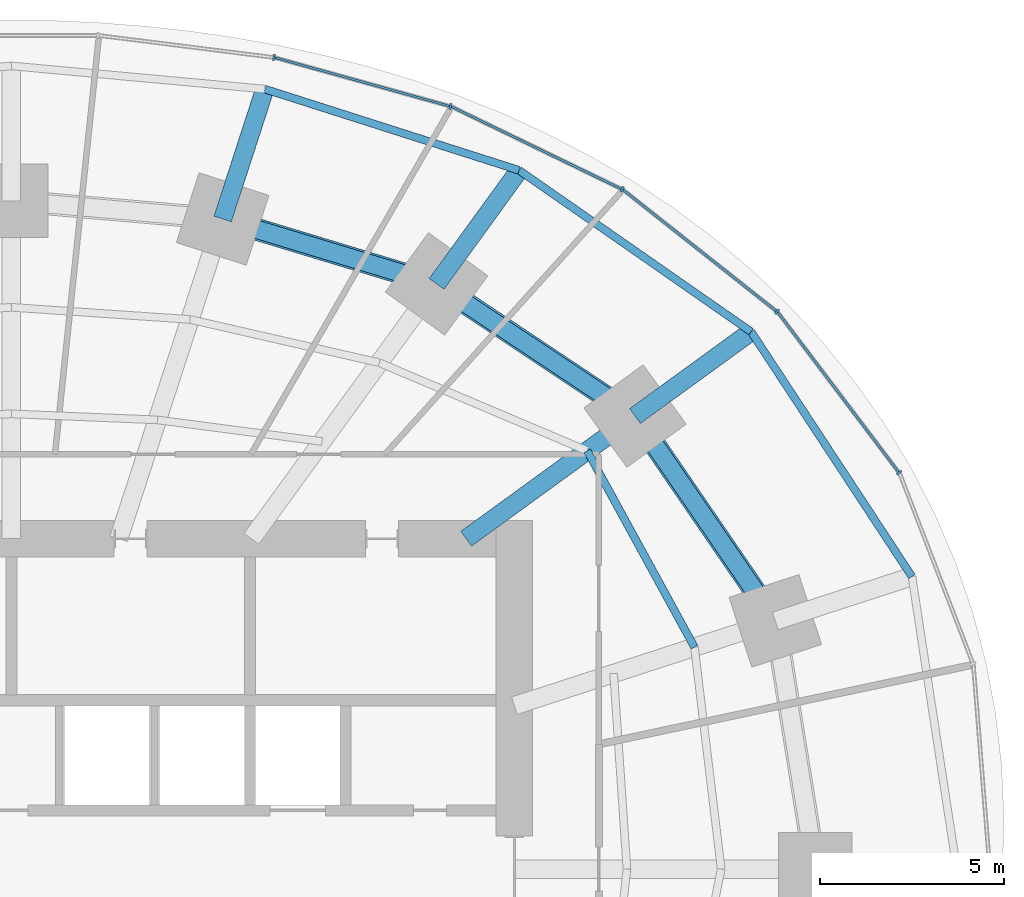
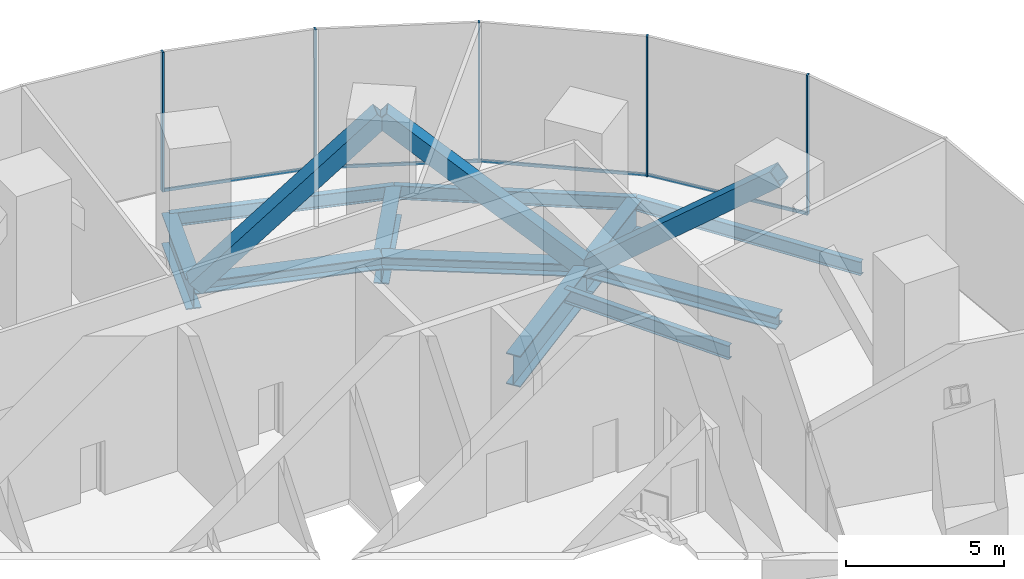
# One storey, part 9 of 13: 15 members, 8 beams, 2 elements without a shape of their own.
"""IFC4 building model written with IfcOpenShell, lengths in metres."""

from ifc_helpers import new_model, si_unit, direction, frame, origin, origin_2d, place, context, subcontext, project, spatial, rectangle, hollow_rectangle, i_section, extrude, material, material_profile, profile_set, type_object, element, aggregate, save


model = new_model("IFC4")

# Units and contexts
model_context = context("Model", 3, precision=1e-05, world=origin(), true_north=direction((0.0, 1.0)))
body_context = subcontext(model_context, "Body", "Model", "MODEL_VIEW")
ifc_project = project(units=[si_unit("LENGTHUNIT", "METRE"), si_unit("AREAUNIT", "SQUARE_METRE"), si_unit("VOLUMEUNIT", "CUBIC_METRE"), si_unit("PLANEANGLEUNIT", "RADIAN"), si_unit("MASSUNIT", "GRAM", prefix="KILO")], contexts=[model_context])

# Site, building, storey
site_placement = place(None, origin())
site = spatial("IfcSite", under=ifc_project, at=site_placement, CompositionType="ELEMENT")
building_placement = place(site_placement, origin())
building = spatial("IfcBuilding", under=site, at=building_placement, Name="Marramba Exchange Tower", CompositionType="ELEMENT")
storey_placement = place(building_placement, frame((0.0, 0.0, 86.800048828125)))
storey = spatial("IfcBuildingStorey", under=building, at=storey_placement, Name="L20", CompositionType="ELEMENT", Elevation=86.800048828125)

# Members
ifc_material_1 = material(Name="Steel AS/NZS 3679.2 grade 300", Category="steel")
ifc_material_profile_1 = material_profile(ifc_material_1, i_section(OverallWidth=0.5, OverallDepth=0.47998046875, WebThickness=0.0400390625, FlangeThickness=0.0400390625, at=origin_2d()), Name="500WC440")
ifc_profile_set_1 = profile_set([ifc_material_profile_1], Name="Steel AS/NZS 3679.2 grade 300")
member_type_1 = type_object("IfcMemberType", Name="Belt truss chord 500WC440", PredefinedType="CHORD", material=ifc_profile_set_1)
member_1_placement = place(storey_placement, frame((20.808349609375, 6.760986328125, -0.43994140625), z_axis=(-0.56516002054, 0.824981303535, 0.0), x_axis=(-0.824981303535, -0.56516002054, 0.0)))
element("IfcMember", 1, at=member_1_placement, inside=storey, type_object=member_type_1, Name="Belt chord L20 TC02-TC03", PredefinedType="CHORD", context=body_context, shape_type="SweptSolid", body=[
    extrude(i_section(OverallWidth=0.5, OverallDepth=0.47998046875, WebThickness=0.0400390625, FlangeThickness=0.0400390625, at=origin_2d()), origin(), (0.0, 0.0, 1.0), 6.763671875),
])
member_2_placement = place(storey_placement, frame((16.98583984375, 12.3408203125, -0.43994140625), z_axis=(-0.832293151443, 0.554335737673, 0.0), x_axis=(-0.554335737673, -0.832293151443, 0.0)))
element("IfcMember", 2, at=member_2_placement, inside=storey, type_object=member_type_1, Name="Belt chord L20 TC03-TC04", PredefinedType="CHORD", context=body_context, shape_type="SweptSolid", body=[
    extrude(i_section(OverallWidth=0.5, OverallDepth=0.47998046875, WebThickness=0.0400390625, FlangeThickness=0.0400390625, at=origin_2d()), origin(), (0.0, 0.0, 1.0), 6.49365234375),
])
member_3_placement = place(storey_placement, frame((11.581298828125, 15.9404296875, -0.43994140625), z_axis=(-0.956924542524, 0.290336735387, 0.0), x_axis=(-0.290336735387, -0.956924542524, 0.0)))
element("IfcMember", 3, at=member_3_placement, inside=storey, type_object=member_type_1, Name="Belt chord L20 TC04-TC05", PredefinedType="CHORD", context=body_context, shape_type="SweptSolid", body=[
    extrude(i_section(OverallWidth=0.5, OverallDepth=0.47998046875, WebThickness=0.0400390625, FlangeThickness=0.0400390625, at=origin_2d()), origin(), (0.0, 0.0, 1.0), 6.089599609375),
])
ifc_material_2 = material(Name="Steel AS/NZS 3678 grade 350", Category="steel")
ifc_material_profile_2 = material_profile(ifc_material_2, hollow_rectangle(XDim=0.60009765625, YDim=0.60009765625, WallThickness=0.0400390625, at=origin_2d()), Name="600x600x40BOX")
ifc_profile_set_2 = profile_set([ifc_material_profile_2], Name="Steel AS/NZS 3678 grade 350")
member_type_2 = type_object("IfcMemberType", Name="Belt truss diagonal 600x600x40BOX", PredefinedType="BRACE", material=ifc_profile_set_2)
member_4_placement = place(storey_placement, frame((20.808349609375, 6.760986328125, 5.159912109375), z_axis=(-0.435320155783, 0.635450096469, -0.63772998743), x_axis=(-0.824981303535, -0.56516002054, 0.0)))
element("IfcMember", 4, at=member_4_placement, inside=storey, type_object=member_type_2, Name="Belt truss BT20 diagonal 02", PredefinedType="BRACE", context=body_context, shape_type="SweptSolid", body=[
    extrude(hollow_rectangle(XDim=0.60009765625, YDim=0.60009765625, WallThickness=0.0400390625, at=origin_2d()), origin(), (0.0, 0.0, 1.0), 8.781005859375),
])
member_5_placement = place(storey_placement, frame((16.98583984375, 12.3408203125, -0.43994140625), z_axis=(-0.630292951441, 0.419796687719, 0.653070850937), x_axis=(-0.554335737673, -0.832293151443, 0.0)))
element("IfcMember", 5, at=member_5_placement, inside=storey, type_object=member_type_2, Name="Belt truss BT20 diagonal 03", PredefinedType="BRACE", context=body_context, shape_type="SweptSolid", body=[
    extrude(hollow_rectangle(XDim=0.60009765625, YDim=0.60009765625, WallThickness=0.0400390625, at=origin_2d()), origin(), (0.0, 0.0, 1.0), 8.57470703125),
])
member_6_placement = place(storey_placement, frame((11.581298828125, 15.9404296875, 5.159912109375), z_axis=(-0.704384845581, 0.213714652968, -0.676881109518), x_axis=(-0.290336735387, -0.956924542524, 0.0)))
element("IfcMember", 6, at=member_6_placement, inside=storey, type_object=member_type_2, Name="Belt truss BT20 diagonal 04", PredefinedType="BRACE", context=body_context, shape_type="SweptSolid", body=[
    extrude(hollow_rectangle(XDim=0.60009765625, YDim=0.60009765625, WallThickness=0.0400390625, at=origin_2d()), origin(), (0.0, 0.0, 1.0), 8.27294921875),
])

# Beams
ifc_material_profile_3 = material_profile(ifc_material_1, i_section(OverallWidth=0.5, OverallDepth=1.199951171875, WebThickness=0.01611328125, FlangeThickness=0.0400390625, at=origin_2d()), Name="1200WB455")
ifc_profile_set_3 = profile_set([ifc_material_profile_3], Name="Steel AS/NZS 3679.2 grade 300")
beam_type_1 = type_object("IfcBeamType", Name="Cantilever girder 1200WB455", PredefinedType="BEAM", material=ifc_profile_set_3)
beam_1_placement = place(storey_placement, frame((16.98583984375, 12.3408203125, -0.800048828125), z_axis=(0.808987260856, 0.587826174793, 0.0), x_axis=(-0.587826174793, 0.808987260856, 0.0)))
element("IfcBeam", 7, at=beam_1_placement, inside=storey, type_object=beam_type_1, Name="Cantilever girder L20 TC03", PredefinedType="BEAM", context=body_context, shape_type="SweptSolid", body=[
    extrude(i_section(OverallWidth=0.5, OverallDepth=1.199951171875, WebThickness=0.01611328125, FlangeThickness=0.0400390625, at=origin_2d()), origin(), (0.0, 0.0, 1.0), 3.90771484375),
])
beam_2_placement = place(storey_placement, frame((11.581298828125, 15.9404296875, -0.800048828125), z_axis=(0.587795827483, 0.809009310944, 0.0), x_axis=(-0.809009310944, 0.587795827483, 0.0)))
element("IfcBeam", 8, at=beam_2_placement, inside=storey, type_object=beam_type_1, Name="Cantilever girder L20 TC04", PredefinedType="BEAM", context=body_context, shape_type="SweptSolid", body=[
    extrude(i_section(OverallWidth=0.5, OverallDepth=1.199951171875, WebThickness=0.01611328125, FlangeThickness=0.0400390625, at=origin_2d()), origin(), (0.0, 0.0, 1.0), 3.82421875),
])
beam_3_placement = place(storey_placement, frame((5.75390625, 17.70849609375, -0.800048828125), z_axis=(0.308973290646, 0.951070715387, 0.0), x_axis=(-0.951070715387, 0.308973290646, 0.0)))
element("IfcBeam", 9, at=beam_3_placement, inside=storey, type_object=beam_type_1, Name="Cantilever girder L20 TC05", PredefinedType="BEAM", context=body_context, shape_type="SweptSolid", body=[
    extrude(i_section(OverallWidth=0.5, OverallDepth=1.199951171875, WebThickness=0.01611328125, FlangeThickness=0.0400390625, at=origin_2d()), origin(), (0.0, 0.0, 1.0), 3.72021484375),
])
ifc_material_3 = material(Name="Steel AS/NZS 3679.1 grade 300", Category="steel")
ifc_material_profile_4 = material_profile(ifc_material_3, i_section(OverallWidth=0.208984375, OverallDepth=0.532958984375, WebThickness=0.01025390625, FlangeThickness=0.015625, FilletRadius=0.013916015625, at=origin_2d()), Name="530UB92.4")
ifc_profile_set_4 = profile_set([ifc_material_profile_4], Name="Steel AS/NZS 3679.1 grade 300")
beam_type_2 = type_object("IfcBeamType", Name="Floor joist 530UB92.4", PredefinedType="JOIST", material=ifc_profile_set_4)
beam_4_placement = place(storey_placement, frame((18.60546875, 6.04541015625, -0.466552734375), z_axis=(-0.479584443791, 0.877495732909, 0.0), x_axis=(-0.877495732909, -0.479584443791, 0.0)))
element("IfcBeam", 10, at=beam_4_placement, inside=storey, type_object=beam_type_2, Name="Joist L20 bay 02 row 2", PredefinedType="JOIST", context=body_context, shape_type="SweptSolid", body=[
    extrude(i_section(OverallWidth=0.208984375, OverallDepth=0.532958984375, WebThickness=0.01025390625, FlangeThickness=0.015625, FilletRadius=0.013916015625, at=origin_2d()), origin(), (0.0, 0.0, 1.0), 6.094970703125),
])

# Curtain wall, members
ifc_material_4 = material(Name="Aluminium framing, bronze anodised", Category="aluminium")
curtain_wall_type = type_object("IfcCurtainWallType", Name="Plant floor louvred curtain wall", PredefinedType="USERDEFINED", material=ifc_material_4)
curtain_wall_1_placement = place(storey_placement, origin())
curtain_wall_1 = element("IfcCurtainWall", 11, at=curtain_wall_1_placement, inside=storey, type_object=curtain_wall_type, Name="Curtain wall CW6 L20 F01-F05", ObjectType="RIBBON CURTAIN WALL", PredefinedType="USERDEFINED")
ifc_material_5 = material(Name="Aluminium mullion, bronze anodised", Category="aluminium")
ifc_material_profile_5 = material_profile(ifc_material_5, rectangle(XDim=0.159912109375, YDim=0.06005859375, at=origin_2d()), Name="CW6 mullion 60x160")
ifc_profile_set_5 = profile_set([ifc_material_profile_5], Name="Aluminium mullion, bronze anodised")
member_type_3 = type_object("IfcMemberType", Name="Plant floor louvred curtain wall mullion", PredefinedType="MULLION", material=ifc_profile_set_5)
member_7_placement = place(storey_placement, frame((24.178466796875, 10.796875, 0.0), z_axis=(0.0, 0.0, 1.0), x_axis=(-0.797748922445, -0.602989765036, 0.0)))
member_7 = element("IfcMember", 12, at=member_7_placement, type_object=member_type_3, Name="CW6 mullion 1", PredefinedType="MULLION", context=body_context, shape_type="SweptSolid", body=[
    extrude(rectangle(XDim=0.159912109375, YDim=0.06005859375, at=origin_2d()), origin(), (0.0, 0.0, 1.0), 5.39990234375),
])
member_8_placement = place(storey_placement, frame((20.851806640625, 15.185546875, 0.0), z_axis=(0.0, 0.0, 1.0), x_axis=(-0.620649730166, -0.784087949432, 0.0)))
member_8 = element("IfcMember", 13, at=member_8_placement, type_object=member_type_3, Name="CW6 mullion 1", PredefinedType="MULLION", context=body_context, shape_type="SweptSolid", body=[
    extrude(rectangle(XDim=0.159912109375, YDim=0.06005859375, at=origin_2d()), origin(), (0.0, 0.0, 1.0), 5.39990234375),
])
member_9_placement = place(storey_placement, frame((16.63330078125, 18.516357421875, 0.0), z_axis=(0.0, 0.0, 1.0), x_axis=(-0.43596538664, -0.899963433508, 0.0)))
member_9 = element("IfcMember", 14, at=member_9_placement, type_object=member_type_3, Name="CW6 mullion 1", PredefinedType="MULLION", context=body_context, shape_type="SweptSolid", body=[
    extrude(rectangle(XDim=0.159912109375, YDim=0.06005859375, at=origin_2d()), origin(), (0.0, 0.0, 1.0), 5.39990234375),
])

curtain_wall_2_placement = place(storey_placement, origin())
curtain_wall_2 = element("IfcCurtainWall", 15, at=curtain_wall_2_placement, inside=storey, type_object=curtain_wall_type, Name="Curtain wall CW6 L20 F06-F10", ObjectType="RIBBON CURTAIN WALL", PredefinedType="USERDEFINED")
member_10_placement = place(storey_placement, frame((11.96044921875, 20.774169921875, 0.0), z_axis=(0.0, 0.0, 1.0), x_axis=(-0.267808735815, -0.963472096649, 0.0)))
member_10 = element("IfcMember", 16, at=member_10_placement, type_object=member_type_3, Name="CW6 mullion 1", PredefinedType="MULLION", context=body_context, shape_type="SweptSolid", body=[
    extrude(rectangle(XDim=0.159912109375, YDim=0.06005859375, at=origin_2d()), origin(), (0.0, 0.0, 1.0), 5.39990234375),
])
member_11_placement = place(storey_placement, frame((7.15185546875, 22.106201171875, 0.0), z_axis=(0.0, 0.0, 1.0), x_axis=(-0.124872723099, -0.992172768738, 0.0)))
member_11 = element("IfcMember", 17, at=member_11_placement, type_object=member_type_3, Name="CW6 mullion 1", PredefinedType="MULLION", context=body_context, shape_type="SweptSolid", body=[
    extrude(rectangle(XDim=0.159912109375, YDim=0.06005859375, at=origin_2d()), origin(), (0.0, 0.0, 1.0), 5.39990234375),
])

# Member
ifc_material_6 = material(Name="Aluminium transom, bronze anodised", Category="aluminium")
ifc_material_profile_6 = material_profile(ifc_material_6, rectangle(XDim=0.06005859375, YDim=0.1201171875, at=origin_2d()), Name="CW6 transom 60x120")
ifc_profile_set_6 = profile_set([ifc_material_profile_6], Name="Aluminium transom, bronze anodised")
member_type_4 = type_object("IfcMemberType", Name="Plant floor louvred curtain wall transom", PredefinedType="USERDEFINED", material=ifc_profile_set_6)
member_12_placement = place(storey_placement, frame((24.160400390625, 10.82080078125, 0.030029296875), z_axis=(-0.602985866158, 0.797751869452, 0.0), x_axis=(-0.797751869452, -0.602985866158, 0.0)))
member_12 = element("IfcMember", 18, at=member_12_placement, type_object=member_type_4, Name="CW6 sill transom", ObjectType="TRANSOM", PredefinedType="USERDEFINED", context=body_context, shape_type="SweptSolid", body=[
    extrude(rectangle(XDim=0.06005859375, YDim=0.1201171875, at=origin_2d()), origin(), (0.0, 0.0, 1.0), 5.44775390625),
])

member_13_placement = place(storey_placement, frame((20.828369140625, 15.2041015625, 0.030029296875), z_axis=(-0.784097975735, 0.620637063385, 0.0), x_axis=(-0.620637063385, -0.784097975735, 0.0)))
member_13 = element("IfcMember", 19, at=member_13_placement, type_object=member_type_4, Name="CW6 sill transom", ObjectType="TRANSOM", PredefinedType="USERDEFINED", context=body_context, shape_type="SweptSolid", body=[
    extrude(rectangle(XDim=0.06005859375, YDim=0.1201171875, at=origin_2d()), origin(), (0.0, 0.0, 1.0), 5.315673828125),
])

member_14_placement = place(storey_placement, frame((16.6064453125, 18.529296875, 0.030029296875), z_axis=(-0.89995331781, 0.43598626786, 0.0), x_axis=(-0.43598626786, -0.89995331781, 0.0)))
member_14 = element("IfcMember", 20, at=member_14_placement, type_object=member_type_4, Name="CW6 sill transom", ObjectType="TRANSOM", PredefinedType="USERDEFINED", context=body_context, shape_type="SweptSolid", body=[
    extrude(rectangle(XDim=0.06005859375, YDim=0.1201171875, at=origin_2d()), origin(), (0.0, 0.0, 1.0), 5.13037109375),
])

aggregate(curtain_wall_1, [member_7, member_12, member_8, member_13, member_9, member_14])

member_15_placement = place(storey_placement, frame((11.931396484375, 20.7822265625, 0.030029296875), z_axis=(-0.963468938163, 0.267820098565, 0.0), x_axis=(-0.267820098565, -0.963468938163, 0.0)))
member_15 = element("IfcMember", 21, at=member_15_placement, type_object=member_type_4, Name="CW6 sill transom", ObjectType="TRANSOM", PredefinedType="USERDEFINED", context=body_context, shape_type="SweptSolid", body=[
    extrude(rectangle(XDim=0.06005859375, YDim=0.1201171875, at=origin_2d()), origin(), (0.0, 0.0, 1.0), 4.929931640625),
])

aggregate(curtain_wall_2, [member_10, member_15, member_11])

# Beams
ifc_material_profile_7 = material_profile(ifc_material_1, i_section(OverallWidth=0.5, OverallDepth=1.199951171875, WebThickness=0.01611328125, FlangeThickness=0.0400390625, at=origin_2d()), Name="1200WB455")
ifc_profile_set_7 = profile_set([ifc_material_profile_7], Name="Steel AS/NZS 3679.2 grade 300")
beam_type_3 = type_object("IfcBeamType", Name="Radial girder 1200WB455", PredefinedType="BEAM", material=ifc_profile_set_7)
beam_5_placement = place(storey_placement, frame((12.387451171875, 9.0, -0.800048828125), z_axis=(0.809025746925, 0.587773205252, 0.0), x_axis=(-0.587773205252, 0.809025746925, 0.0)))
element("IfcBeam", 22, at=beam_5_placement, inside=storey, type_object=beam_type_3, Name="Radial girder L20 TC03", PredefinedType="BEAM", context=body_context, shape_type="SweptSolid", body=[
    extrude(i_section(OverallWidth=0.5, OverallDepth=1.199951171875, WebThickness=0.01611328125, FlangeThickness=0.0400390625, at=origin_2d()), origin(), (0.0, 0.0, 1.0), 5.683837890625),
])
ifc_material_profile_8 = material_profile(ifc_material_3, i_section(OverallWidth=0.208984375, OverallDepth=0.528076171875, WebThickness=0.009521484375, FlangeThickness=0.01318359375, FilletRadius=0.013916015625, at=origin_2d()), Name="530UB82.0")
ifc_profile_set_8 = profile_set([ifc_material_profile_8], Name="Steel AS/NZS 3679.1 grade 300")
beam_type_4 = type_object("IfcBeamType", Name="Slab edge beam 530UB82.0", PredefinedType="SPANDREL", material=ifc_profile_set_8)
beam_6_placement = place(storey_placement, frame((24.528564453125, 7.9697265625, -0.464111328125), z_axis=(-0.549123544095, 0.835741188001, 0.0), x_axis=(-0.835741188001, -0.549123544095, 0.0)))
element("IfcBeam", 23, at=beam_6_placement, inside=storey, type_object=beam_type_4, Name="Slab edge beam L20 TC02-TC03", PredefinedType="SPANDREL", context=body_context, shape_type="SweptSolid", body=[
    extrude(i_section(OverallWidth=0.208984375, OverallDepth=0.528076171875, WebThickness=0.009521484375, FlangeThickness=0.01318359375, FilletRadius=0.013916015625, at=origin_2d()), origin(), (0.0, 0.0, 1.0), 7.978759765625),
])
beam_7_placement = place(storey_placement, frame((20.147216796875, 14.637939453125, -0.464111328125), z_axis=(-0.820842487183, 0.571154629882, 0.0), x_axis=(-0.571154629882, -0.820842487183, 0.0)))
element("IfcBeam", 24, at=beam_7_placement, inside=storey, type_object=beam_type_4, Name="Slab edge beam L20 TC03-TC04", PredefinedType="SPANDREL", context=body_context, shape_type="SweptSolid", body=[
    extrude(i_section(OverallWidth=0.208984375, OverallDepth=0.528076171875, WebThickness=0.009521484375, FlangeThickness=0.01318359375, FilletRadius=0.013916015625, at=origin_2d()), origin(), (0.0, 0.0, 1.0), 7.697021484375),
])
beam_8_placement = place(storey_placement, frame((13.8291015625, 19.0341796875, -0.464111328125), z_axis=(-0.952577642997, 0.304295635957, 0.0), x_axis=(-0.304295635957, -0.952577642997, 0.0)))
element("IfcBeam", 25, at=beam_8_placement, inside=storey, type_object=beam_type_4, Name="Slab edge beam L20 TC04-TC05", PredefinedType="SPANDREL", context=body_context, shape_type="SweptSolid", body=[
    extrude(i_section(OverallWidth=0.208984375, OverallDepth=0.528076171875, WebThickness=0.009521484375, FlangeThickness=0.01318359375, FilletRadius=0.013916015625, at=origin_2d()), origin(), (0.0, 0.0, 1.0), 7.2705078125),
])

save(model, "model.ifc")
